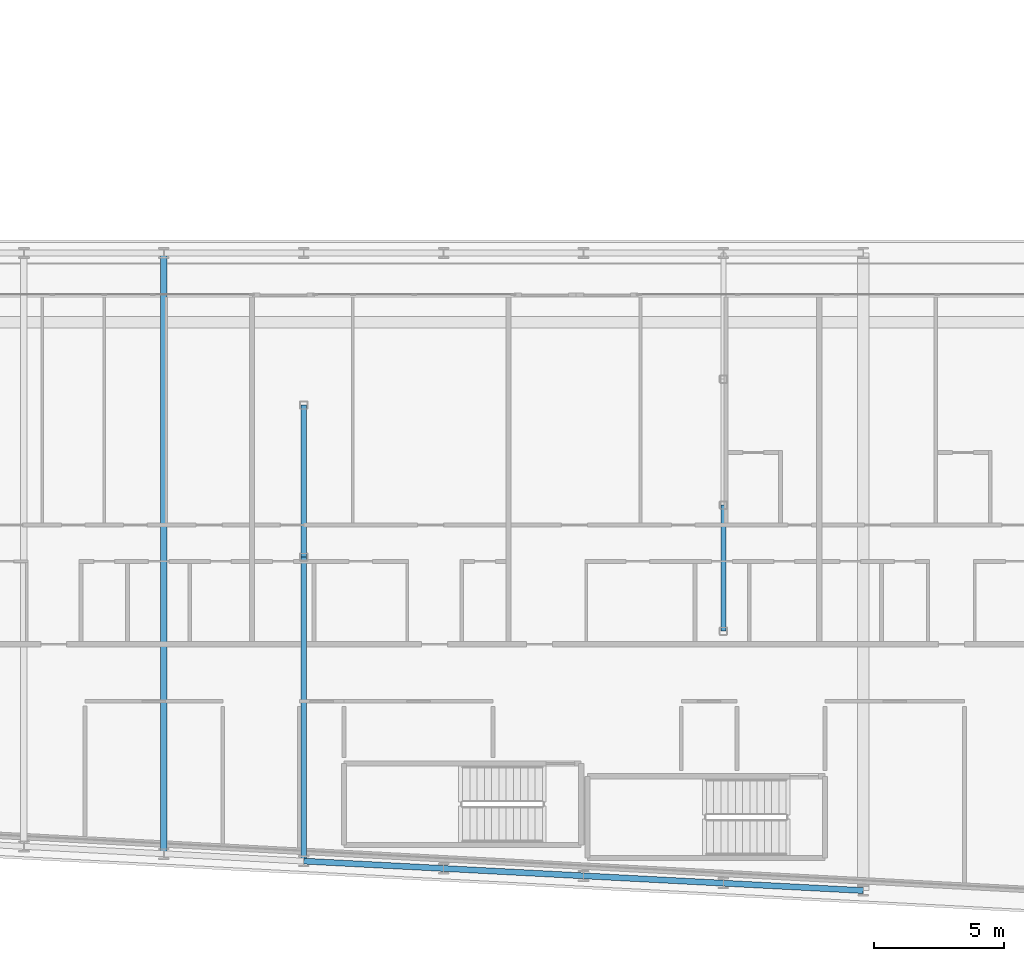
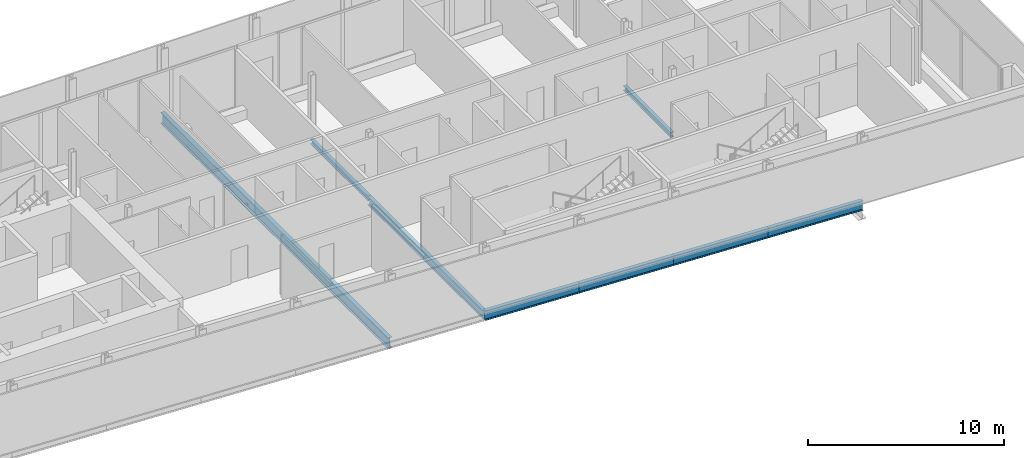
# One storey, part 7 of 30: 8 beams.
"""IFC4 building model written with IfcOpenShell, lengths in metres."""

from ifc_helpers import new_model, si_unit, direction, frame, origin, origin_2d, place, context, subcontext, project, spatial, i_section, extrude, material, material_profile, profile_set, type_object, element, save


model = new_model("IFC4")

# Units and contexts
model_context = context("Model", 3, precision=1e-05, world=origin(), true_north=direction((0.0, 1.0)))
body_context = subcontext(model_context, "Body", "Model", "MODEL_VIEW")
ifc_project = project(units=[si_unit("LENGTHUNIT", "METRE"), si_unit("AREAUNIT", "SQUARE_METRE"), si_unit("VOLUMEUNIT", "CUBIC_METRE"), si_unit("PLANEANGLEUNIT", "RADIAN"), si_unit("MASSUNIT", "GRAM", prefix="KILO")], contexts=[model_context])

# Site, building, storey
site_placement = place(None, origin())
site = spatial("IfcSite", under=ifc_project, at=site_placement, CompositionType="ELEMENT")
building_placement = place(site_placement, origin())
building = spatial("IfcBuilding", under=site, at=building_placement, Name="Kheshtan School and Residences Tower", CompositionType="ELEMENT")
storey_placement = place(building_placement, frame((0.0, 0.0, 199.39990234375)))
storey = spatial("IfcBuildingStorey", under=building, at=storey_placement, Name="L47", CompositionType="ELEMENT", Elevation=199.39990234375)

# Beams
ifc_material = material(Name="Steel ASTM A992 Grade 50", Category="steel")
ifc_material_profile_1 = material_profile(ifc_material, i_section(OverallWidth=0.202880859375, OverallDepth=0.302978515625, WebThickness=0.007568359375, FlangeThickness=0.01318359375, FilletRadius=0.009033203125, at=origin_2d()), Name="W310x60")
ifc_profile_set_1 = profile_set([ifc_material_profile_1], Name="Steel ASTM A992 Grade 50")
beam_type_1 = type_object("IfcBeamType", Name="Beam FB1 W310x60 ASTM A992 Grade 50", PredefinedType="BEAM", material=ifc_profile_set_1)
beam_1_placement = place(storey_placement, frame((85.39990234375, 31.0048828125, -0.301513671875), z_axis=(0.0, 1.0, 0.0), x_axis=(-1.0, 0.0, 0.0)))
element("IfcBeam", 1, at=beam_1_placement, inside=storey, type_object=beam_type_1, Name="Floor beam IC", PredefinedType="BEAM", context=body_context, shape_type="SweptSolid", body=[
    extrude(i_section(OverallWidth=0.202880859375, OverallDepth=0.302978515625, WebThickness=0.007568359375, FlangeThickness=0.01318359375, FilletRadius=0.009033203125, at=origin_2d()), origin(), (0.0, 0.0, 1.0), 4.865234375),
])
beam_2_placement = place(storey_placement, frame((69.199951171875, 33.863037109375, -0.301513671875), z_axis=(0.0, 1.0, 0.0), x_axis=(-1.0, 0.0, 0.0)))
element("IfcBeam", 2, at=beam_2_placement, inside=storey, type_object=beam_type_1, Name="Floor beam IC", PredefinedType="BEAM", context=body_context, shape_type="SweptSolid", body=[
    extrude(i_section(OverallWidth=0.202880859375, OverallDepth=0.302978515625, WebThickness=0.007568359375, FlangeThickness=0.01318359375, FilletRadius=0.009033203125, at=origin_2d()), origin(), (0.0, 0.0, 1.0), 5.868896484375),
])
ifc_material_profile_2 = material_profile(ifc_material, i_section(OverallWidth=0.208984375, OverallDepth=0.532958984375, WebThickness=0.01025390625, FlangeThickness=0.015625, FilletRadius=0.013916015625, at=origin_2d()), Name="W530x92")
ifc_profile_set_2 = profile_set([ifc_material_profile_2], Name="Steel ASTM A992 Grade 50")
beam_type_2 = type_object("IfcBeamType", Name="Beam FB4 W530x92 ASTM A992 Grade 50", PredefinedType="BEAM", material=ifc_profile_set_2)
beam_3_placement = place(storey_placement, frame((69.199951171875, 22.126953125, -0.41650390625), z_axis=(0.0, 1.0, 0.0), x_axis=(-1.0, 0.0, 0.0)))
element("IfcBeam", 3, at=beam_3_placement, inside=storey, type_object=beam_type_2, Name="Floor beam C014", PredefinedType="BEAM", context=body_context, shape_type="SweptSolid", body=[
    extrude(i_section(OverallWidth=0.208984375, OverallDepth=0.532958984375, WebThickness=0.01025390625, FlangeThickness=0.015625, FilletRadius=0.013916015625, at=origin_2d()), origin(), (0.0, 0.0, 1.0), 11.736083984375),
])
ifc_material_profile_3 = material_profile(ifc_material, i_section(OverallWidth=0.2529296875, OverallDepth=0.677978515625, WebThickness=0.01171875, FlangeThickness=0.016357421875, FilletRadius=0.0146484375, at=origin_2d()), Name="W690x125")
ifc_profile_set_3 = profile_set([ifc_material_profile_3], Name="Steel ASTM A992 Grade 50")
beam_type_3 = type_object("IfcBeamType", Name="Beam FB6 W690x125 ASTM A992 Grade 50", PredefinedType="BEAM", material=ifc_profile_set_3)
beam_4_placement = place(storey_placement, frame((63.800048828125, 45.60009765625, -0.489013671875), z_axis=(0.0, -1.0, 0.0), x_axis=(1.0, 0.0, 0.0)))
element("IfcBeam", 4, at=beam_4_placement, inside=storey, type_object=beam_type_3, Name="Floor beam C063", PredefinedType="BEAM", context=body_context, shape_type="SweptSolid", body=[
    extrude(i_section(OverallWidth=0.2529296875, OverallDepth=0.677978515625, WebThickness=0.01171875, FlangeThickness=0.016357421875, FilletRadius=0.0146484375, at=origin_2d()), origin(), (0.0, 0.0, 1.0), 23.189208984375),
])
ifc_material_profile_4 = material_profile(ifc_material, i_section(OverallWidth=0.22802734375, OverallDepth=0.60302734375, WebThickness=0.010498046875, FlangeThickness=0.014892578125, FilletRadius=0.013427734375, at=origin_2d()), Name="W610x101")
ifc_profile_set_4 = profile_set([ifc_material_profile_4], Name="Steel ASTM A992 Grade 50")
beam_type_4 = type_object("IfcBeamType", Name="Beam SP2 W610x101 ASTM A992 Grade 50", PredefinedType="BEAM", material=ifc_profile_set_4)
beam_5_placement = place(storey_placement, frame((90.800048828125, 20.989990234375, -0.451416015625), z_axis=(-0.998620571751, 0.05250670125, 0.0), x_axis=(-0.05250670125, -0.998620571751, 0.0)))
element("IfcBeam", 5, at=beam_5_placement, inside=storey, type_object=beam_type_4, Name="Spandrel beam C006-C008", PredefinedType="BEAM", context=body_context, shape_type="SweptSolid", body=[
    extrude(i_section(OverallWidth=0.22802734375, OverallDepth=0.60302734375, WebThickness=0.010498046875, FlangeThickness=0.014892578125, FilletRadius=0.013427734375, at=origin_2d()), origin(), (0.0, 0.0, 1.0), 5.40771484375),
])
for number, where, z_axis, x_axis, name in (
    (6, (85.39990234375, 21.27392578125, -0.451416015625), (-0.998618078766, 0.052554093665, 0.0), (-0.052554093665, -0.998618078766, 0.0), "Spandrel beam C008-C012"),
    (7, (80.0, 21.55810546875, -0.451416015625), (-0.998610961136, 0.052689166816, 0.0), (-0.052689166816, -0.998610961136, 0.0), "Spandrel beam C012-C013"),
):
    element("IfcBeam", number, at=place(storey_placement, frame(where, z_axis=z_axis, x_axis=x_axis)), inside=storey, type_object=beam_type_4, Name=name, PredefinedType="BEAM", context=body_context, shape_type="SweptSolid", body=[
        extrude(i_section(OverallWidth=0.22802734375, OverallDepth=0.60302734375, WebThickness=0.010498046875, FlangeThickness=0.014892578125, FilletRadius=0.013427734375, at=origin_2d()), origin(), (0.0, 0.0, 1.0), 5.407470703125),
    ])
beam_6_placement = place(storey_placement, frame((74.60009765625, 21.843017578125, -0.451416015625), z_axis=(-0.998620571751, 0.05250670125, 0.0), x_axis=(-0.05250670125, -0.998620571751, 0.0)))
element("IfcBeam", 8, at=beam_6_placement, inside=storey, type_object=beam_type_4, Name="Spandrel beam C013-C014", PredefinedType="BEAM", context=body_context, shape_type="SweptSolid", body=[
    extrude(i_section(OverallWidth=0.22802734375, OverallDepth=0.60302734375, WebThickness=0.010498046875, FlangeThickness=0.014892578125, FilletRadius=0.013427734375, at=origin_2d()), origin(), (0.0, 0.0, 1.0), 5.40771484375),
])

save(model, "model.ifc")
